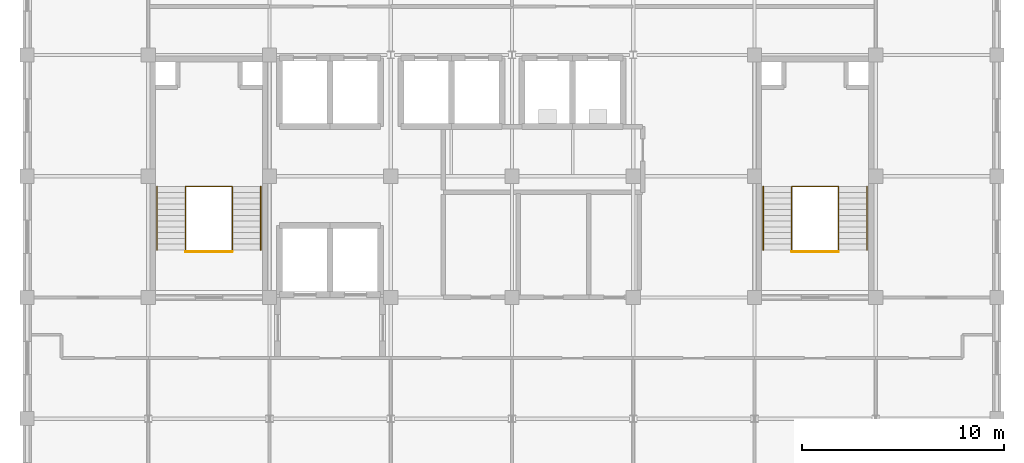
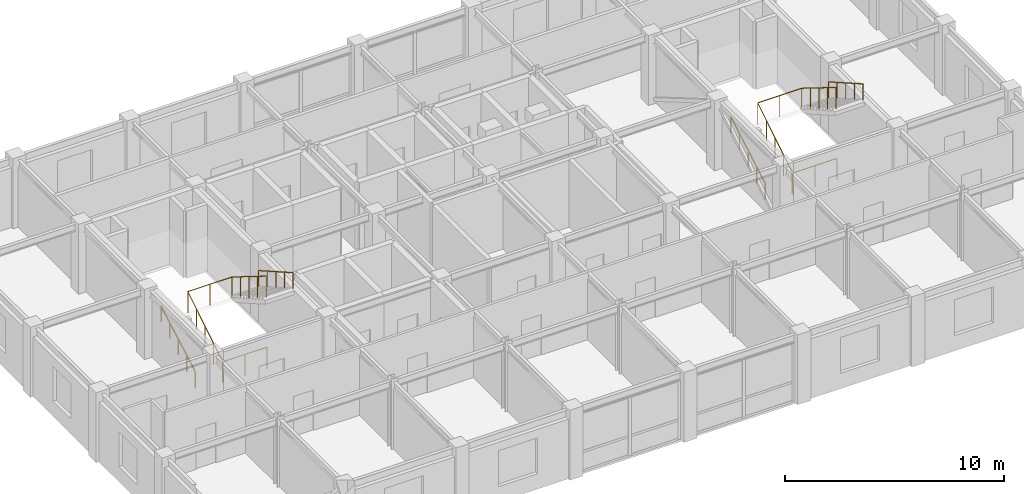
# One storey, part 12 of 12: 8 railings.
"""IFC4 building model written with IfcOpenShell, lengths in metres."""

from ifc_helpers import new_model, si_unit, direction, frame, origin, origin_2d, place, context, subcontext, project, spatial, circle, extrude, material, type_object, element, save


model = new_model("IFC4")

# Units and contexts
model_context = context("Model", 3, precision=1e-05, world=origin(), true_north=direction((0.0, 1.0)))
body_context = subcontext(model_context, "Body", "Model", "MODEL_VIEW")
ifc_project = project(units=[si_unit("LENGTHUNIT", "METRE"), si_unit("AREAUNIT", "SQUARE_METRE"), si_unit("VOLUMEUNIT", "CUBIC_METRE"), si_unit("PLANEANGLEUNIT", "RADIAN"), si_unit("MASSUNIT", "GRAM", prefix="KILO")], contexts=[model_context])

# Site, building, storey
site_placement = place(None, origin())
site = spatial("IfcSite", under=ifc_project, at=site_placement, CompositionType="ELEMENT")
building_placement = place(site_placement, origin())
building = spatial("IfcBuilding", under=site, at=building_placement, Name="Zlatovratsky Civic Hall", CompositionType="ELEMENT")
storey_placement = place(building_placement, frame((0.0, 0.0, 40.5)))
storey = spatial("IfcBuildingStorey", under=building, at=storey_placement, Name="L10", CompositionType="ELEMENT", Elevation=40.5)

# Railings
ifc_material = material(Name="Brushed stainless steel AISI 304", Category="steel")
railing_type_1 = type_object("IfcRailingType", Name="Railing_Guardrail_1200", PredefinedType="GUARDRAIL", material=ifc_material)
railing_1_placement = place(storey_placement, frame((67.840087890625, 86.35009765625, 0.0)))
element("IfcRailing", 1, at=railing_1_placement, inside=storey, type_object=railing_type_1, Name="RL-0540", PredefinedType="GUARDRAIL", context=body_context, shape_type="SweptSolid", body=[
    extrude(circle(Radius=0.02392578125, at=origin_2d()), frame((0.0, 0.0, 1.17578125), z_axis=(0.0, 0.849144259976, 0.528160984692), x_axis=(-1.0, 0.0, 0.0)), (0.0, 0.0, 1.0), 3.69189453125),
    extrude(circle(Radius=0.02392578125, at=origin_2d()), frame((0.0, 3.135009765625, 3.1259765625), z_axis=(1.0, 0.0, 0.0), x_axis=(0.0, 1.0, 0.0)), (0.0, 0.0, 1.0), 2.31982421875),
    extrude(circle(Radius=0.02392578125, at=origin_2d()), frame((2.31982421875, 3.135009765625, 3.1259765625), z_axis=(0.0, -0.849144259976, 0.528160984692), x_axis=(1.0, 0.0, 0.0)), (0.0, 0.0, 1.0), 3.69189453125),
    extrude(circle(Radius=0.02099609375, at=origin_2d()), origin(), (0.0, 0.0, 1.0), 1.15185546875),
    extrude(circle(Radius=0.02099609375, at=origin_2d()), frame((0.0, 0.78369140625, 0.487548828125)), (0.0, 0.0, 1.0), 1.15185546875),
    extrude(circle(Radius=0.02099609375, at=origin_2d()), frame((0.0, 1.5673828125, 0.97509765625)), (0.0, 0.0, 1.0), 1.15185546875),
    extrude(circle(Radius=0.02099609375, at=origin_2d()), frame((0.0, 2.351318359375, 1.46240234375)), (0.0, 0.0, 1.0), 1.15185546875),
    extrude(circle(Radius=0.02099609375, at=origin_2d()), frame((0.0, 3.135009765625, 1.949951171875)), (0.0, 0.0, 1.0), 1.15185546875),
    extrude(circle(Radius=0.02099609375, at=origin_2d()), frame((1.159912109375, 3.135009765625, 1.949951171875)), (0.0, 0.0, 1.0), 1.15185546875),
    extrude(circle(Radius=0.02099609375, at=origin_2d()), frame((2.31982421875, 3.135009765625, 1.949951171875)), (0.0, 0.0, 1.0), 1.15185546875),
    extrude(circle(Radius=0.02099609375, at=origin_2d()), frame((2.31982421875, 2.351318359375, 2.4375)), (0.0, 0.0, 1.0), 1.15185546875),
    extrude(circle(Radius=0.02099609375, at=origin_2d()), frame((2.31982421875, 1.5673828125, 2.9248046875)), (0.0, 0.0, 1.0), 1.15185546875),
    extrude(circle(Radius=0.02099609375, at=origin_2d()), frame((2.31982421875, 0.78369140625, 3.412353515625)), (0.0, 0.0, 1.0), 1.15185546875),
    extrude(circle(Radius=0.02099609375, at=origin_2d()), frame((2.31982421875, 0.0, 3.89990234375)), (0.0, 0.0, 1.0), 1.15185546875),
])
railing_2_placement = place(storey_placement, frame((67.840087890625, 86.27001953125, 0.0)))
element("IfcRailing", 2, at=railing_2_placement, inside=storey, type_object=railing_type_1, Name="RL-0543", PredefinedType="GUARDRAIL", context=body_context, shape_type="SweptSolid", body=[
    extrude(circle(Radius=0.02392578125, at=origin_2d()), frame((0.0, 0.0, 1.17578125), z_axis=(1.0, 0.0, 0.0), x_axis=(0.0, 1.0, 0.0)), (0.0, 0.0, 1.0), 2.31982421875),
    extrude(circle(Radius=0.02099609375, at=origin_2d()), origin(), (0.0, 0.0, 1.0), 1.15185546875),
    extrude(circle(Radius=0.02099609375, at=origin_2d()), frame((1.159912109375, 0.0, 0.0)), (0.0, 0.0, 1.0), 1.15185546875),
    extrude(circle(Radius=0.02099609375, at=origin_2d()), frame((2.31982421875, 0.0, 0.0)), (0.0, 0.0, 1.0), 1.15185546875),
])
railing_3_placement = place(storey_placement, frame((97.840087890625, 86.35009765625, 0.0)))
element("IfcRailing", 3, at=railing_3_placement, inside=storey, type_object=railing_type_1, Name="RL-0616", PredefinedType="GUARDRAIL", context=body_context, shape_type="SweptSolid", body=[
    extrude(circle(Radius=0.02392578125, at=origin_2d()), frame((0.0, 0.0, 1.17578125), z_axis=(0.0, 0.849144259976, 0.528160984692), x_axis=(-1.0, 0.0, 0.0)), (0.0, 0.0, 1.0), 3.69189453125),
    extrude(circle(Radius=0.02392578125, at=origin_2d()), frame((0.0, 3.135009765625, 3.1259765625), z_axis=(1.0, 0.0, 0.0), x_axis=(0.0, 1.0, 0.0)), (0.0, 0.0, 1.0), 2.31982421875),
    extrude(circle(Radius=0.02392578125, at=origin_2d()), frame((2.31982421875, 3.135009765625, 3.1259765625), z_axis=(0.0, -0.849144259976, 0.528160984692), x_axis=(1.0, 0.0, 0.0)), (0.0, 0.0, 1.0), 3.69189453125),
    extrude(circle(Radius=0.02099609375, at=origin_2d()), origin(), (0.0, 0.0, 1.0), 1.15185546875),
    extrude(circle(Radius=0.02099609375, at=origin_2d()), frame((0.0, 0.78369140625, 0.487548828125)), (0.0, 0.0, 1.0), 1.15185546875),
    extrude(circle(Radius=0.02099609375, at=origin_2d()), frame((0.0, 1.5673828125, 0.97509765625)), (0.0, 0.0, 1.0), 1.15185546875),
    extrude(circle(Radius=0.02099609375, at=origin_2d()), frame((0.0, 2.351318359375, 1.46240234375)), (0.0, 0.0, 1.0), 1.15185546875),
    extrude(circle(Radius=0.02099609375, at=origin_2d()), frame((0.0, 3.135009765625, 1.949951171875)), (0.0, 0.0, 1.0), 1.15185546875),
    extrude(circle(Radius=0.02099609375, at=origin_2d()), frame((1.159912109375, 3.135009765625, 1.949951171875)), (0.0, 0.0, 1.0), 1.15185546875),
    extrude(circle(Radius=0.02099609375, at=origin_2d()), frame((2.31982421875, 3.135009765625, 1.949951171875)), (0.0, 0.0, 1.0), 1.15185546875),
    extrude(circle(Radius=0.02099609375, at=origin_2d()), frame((2.31982421875, 2.351318359375, 2.4375)), (0.0, 0.0, 1.0), 1.15185546875),
    extrude(circle(Radius=0.02099609375, at=origin_2d()), frame((2.31982421875, 1.5673828125, 2.9248046875)), (0.0, 0.0, 1.0), 1.15185546875),
    extrude(circle(Radius=0.02099609375, at=origin_2d()), frame((2.31982421875, 0.78369140625, 3.412353515625)), (0.0, 0.0, 1.0), 1.15185546875),
    extrude(circle(Radius=0.02099609375, at=origin_2d()), frame((2.31982421875, 0.0, 3.89990234375)), (0.0, 0.0, 1.0), 1.15185546875),
])
railing_4_placement = place(storey_placement, frame((97.840087890625, 86.27001953125, 0.0)))
element("IfcRailing", 4, at=railing_4_placement, inside=storey, type_object=railing_type_1, Name="RL-0619", PredefinedType="GUARDRAIL", context=body_context, shape_type="SweptSolid", body=[
    extrude(circle(Radius=0.02392578125, at=origin_2d()), frame((0.0, 0.0, 1.17578125), z_axis=(1.0, 0.0, 0.0), x_axis=(0.0, 1.0, 0.0)), (0.0, 0.0, 1.0), 2.31982421875),
    extrude(circle(Radius=0.02099609375, at=origin_2d()), origin(), (0.0, 0.0, 1.0), 1.15185546875),
    extrude(circle(Radius=0.02099609375, at=origin_2d()), frame((1.159912109375, 0.0, 0.0)), (0.0, 0.0, 1.0), 1.15185546875),
    extrude(circle(Radius=0.02099609375, at=origin_2d()), frame((2.31982421875, 0.0, 0.0)), (0.0, 0.0, 1.0), 1.15185546875),
])
railing_type_2 = type_object("IfcRailingType", Name="Railing_Handrail_900", PredefinedType="HANDRAIL", material=ifc_material)
railing_5_placement = place(storey_placement, frame((66.429931640625, 86.35009765625, 0.1630859375)))
element("IfcRailing", 5, at=railing_5_placement, inside=storey, type_object=railing_type_2, Name="RL-0541", PredefinedType="HANDRAIL", context=body_context, shape_type="SweptSolid", body=[
    extrude(circle(Radius=0.02392578125, at=origin_2d()), frame((0.0, 0.0, 0.8759765625), z_axis=(0.0, 0.868788039808, 0.495184149471), x_axis=(-1.0, 0.0, 0.0)), (0.0, 0.0, 1.0), 3.6083984375),
    extrude(circle(Radius=0.02099609375, at=origin_2d()), origin(), (0.0, 0.0, 1.0), 0.851806640625),
    extrude(circle(Radius=0.02099609375, at=origin_2d()), frame((0.0, 0.78369140625, 0.44677734375)), (0.0, 0.0, 1.0), 0.851806640625),
    extrude(circle(Radius=0.02099609375, at=origin_2d()), frame((0.0, 1.5673828125, 0.8935546875)), (0.0, 0.0, 1.0), 0.851806640625),
    extrude(circle(Radius=0.02099609375, at=origin_2d()), frame((0.0, 2.351318359375, 1.340087890625)), (0.0, 0.0, 1.0), 0.851806640625),
    extrude(circle(Radius=0.02099609375, at=origin_2d()), frame((0.0, 3.135009765625, 1.786865234375)), (0.0, 0.0, 1.0), 0.851806640625),
])
railing_6_placement = place(storey_placement, frame((71.570068359375, 89.485107421875, 2.113037109375)))
element("IfcRailing", 6, at=railing_6_placement, inside=storey, type_object=railing_type_2, Name="RL-0542", PredefinedType="HANDRAIL", context=body_context, shape_type="SweptSolid", body=[
    extrude(circle(Radius=0.02392578125, at=origin_2d()), frame((0.0, 0.0, 0.8759765625), z_axis=(0.0, -0.868788039808, 0.495184149471), x_axis=(1.0, 0.0, 0.0)), (0.0, 0.0, 1.0), 3.6083984375),
    extrude(circle(Radius=0.02099609375, at=origin_2d()), origin(), (0.0, 0.0, 1.0), 0.851806640625),
    extrude(circle(Radius=0.02099609375, at=origin_2d()), frame((0.0, -0.78369140625, 0.44677734375)), (0.0, 0.0, 1.0), 0.851806640625),
    extrude(circle(Radius=0.02099609375, at=origin_2d()), frame((0.0, -1.5673828125, 0.8935546875)), (0.0, 0.0, 1.0), 0.851806640625),
    extrude(circle(Radius=0.02099609375, at=origin_2d()), frame((0.0, -2.351318359375, 1.340087890625)), (0.0, 0.0, 1.0), 0.851806640625),
    extrude(circle(Radius=0.02099609375, at=origin_2d()), frame((0.0, -3.135009765625, 1.786865234375)), (0.0, 0.0, 1.0), 0.851806640625),
])
railing_7_placement = place(storey_placement, frame((96.429931640625, 86.35009765625, 0.1630859375)))
element("IfcRailing", 7, at=railing_7_placement, inside=storey, type_object=railing_type_2, Name="RL-0617", PredefinedType="HANDRAIL", context=body_context, shape_type="SweptSolid", body=[
    extrude(circle(Radius=0.02392578125, at=origin_2d()), frame((0.0, 0.0, 0.8759765625), z_axis=(0.0, 0.868788039808, 0.495184149471), x_axis=(-1.0, 0.0, 0.0)), (0.0, 0.0, 1.0), 3.6083984375),
    extrude(circle(Radius=0.02099609375, at=origin_2d()), origin(), (0.0, 0.0, 1.0), 0.851806640625),
    extrude(circle(Radius=0.02099609375, at=origin_2d()), frame((0.0, 0.78369140625, 0.44677734375)), (0.0, 0.0, 1.0), 0.851806640625),
    extrude(circle(Radius=0.02099609375, at=origin_2d()), frame((0.0, 1.5673828125, 0.8935546875)), (0.0, 0.0, 1.0), 0.851806640625),
    extrude(circle(Radius=0.02099609375, at=origin_2d()), frame((0.0, 2.351318359375, 1.340087890625)), (0.0, 0.0, 1.0), 0.851806640625),
    extrude(circle(Radius=0.02099609375, at=origin_2d()), frame((0.0, 3.135009765625, 1.786865234375)), (0.0, 0.0, 1.0), 0.851806640625),
])
railing_8_placement = place(storey_placement, frame((101.570068359375, 89.485107421875, 2.113037109375)))
element("IfcRailing", 8, at=railing_8_placement, inside=storey, type_object=railing_type_2, Name="RL-0618", PredefinedType="HANDRAIL", context=body_context, shape_type="SweptSolid", body=[
    extrude(circle(Radius=0.02392578125, at=origin_2d()), frame((0.0, 0.0, 0.8759765625), z_axis=(0.0, -0.868788039808, 0.495184149471), x_axis=(1.0, 0.0, 0.0)), (0.0, 0.0, 1.0), 3.6083984375),
    extrude(circle(Radius=0.02099609375, at=origin_2d()), origin(), (0.0, 0.0, 1.0), 0.851806640625),
    extrude(circle(Radius=0.02099609375, at=origin_2d()), frame((0.0, -0.78369140625, 0.44677734375)), (0.0, 0.0, 1.0), 0.851806640625),
    extrude(circle(Radius=0.02099609375, at=origin_2d()), frame((0.0, -1.5673828125, 0.8935546875)), (0.0, 0.0, 1.0), 0.851806640625),
    extrude(circle(Radius=0.02099609375, at=origin_2d()), frame((0.0, -2.351318359375, 1.340087890625)), (0.0, 0.0, 1.0), 0.851806640625),
    extrude(circle(Radius=0.02099609375, at=origin_2d()), frame((0.0, -3.135009765625, 1.786865234375)), (0.0, 0.0, 1.0), 0.851806640625),
])

save(model, "model.ifc")
